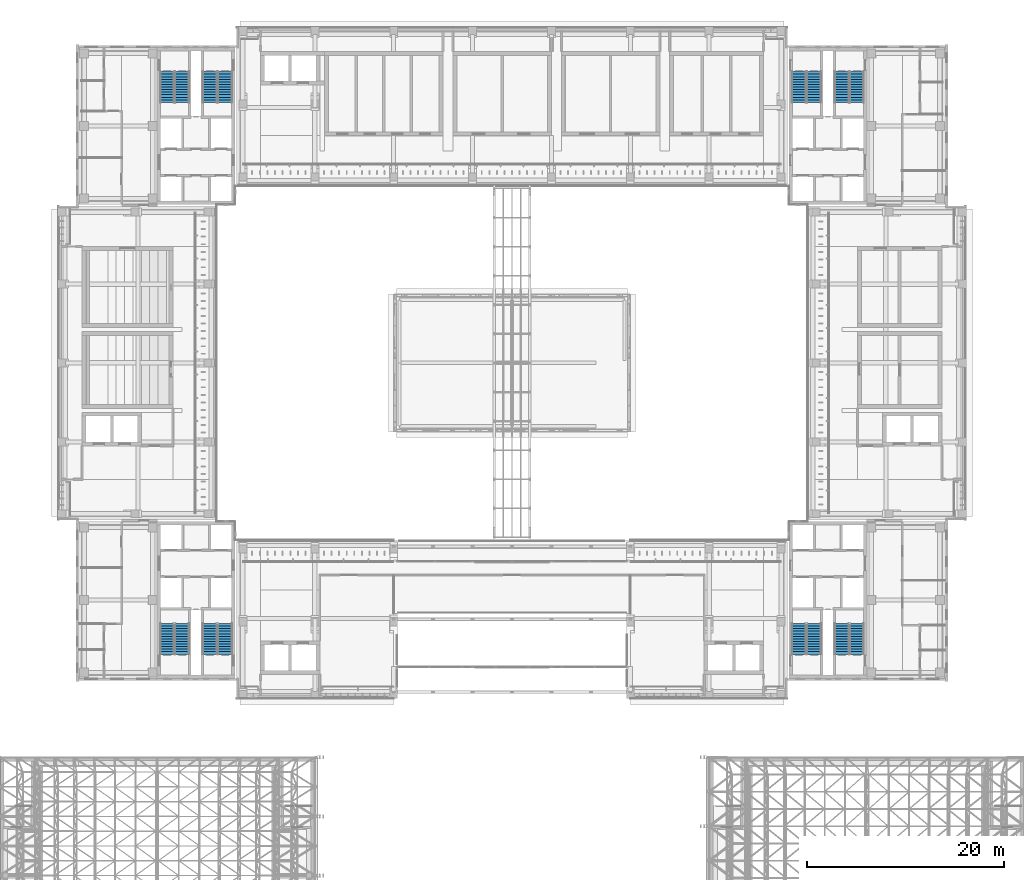
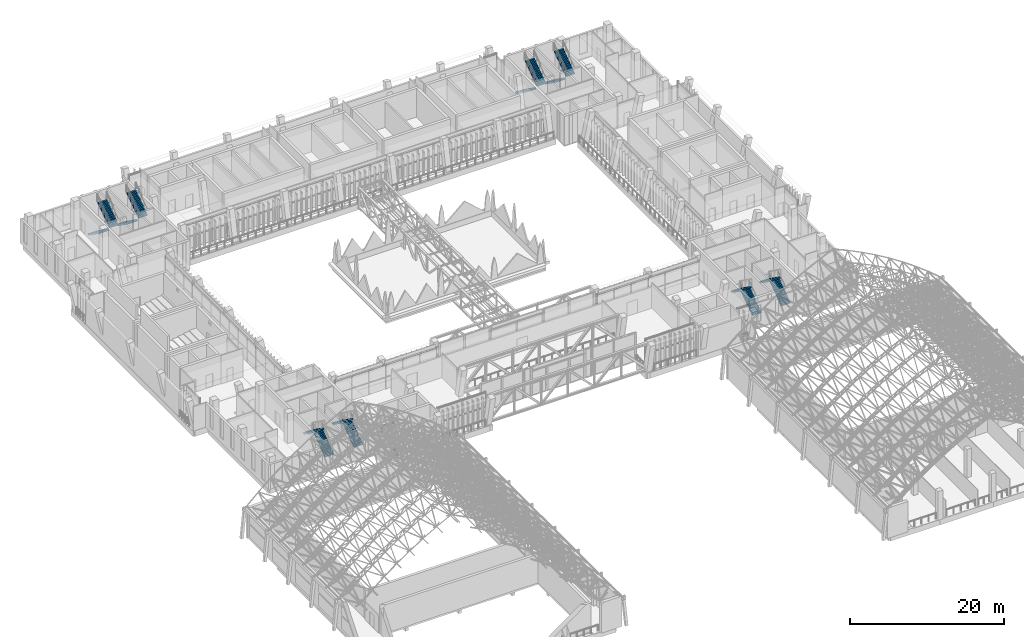
# One storey, part 116 of 141: 16 stair flights, 8 elements without a shape of their own.
"""IFC4 building model written with IfcOpenShell, lengths in metres."""

from ifc_helpers import new_model, si_unit, direction, frame, origin, place, context, subcontext, project, spatial, polyline, outline, extrude, material, type_object, element, aggregate, save


model = new_model("IFC4")

# Units and contexts
model_context = context("Model", 3, precision=1e-05, world=origin(), true_north=direction((0.0, 1.0)))
body_context = subcontext(model_context, "Body", "Model", "MODEL_VIEW")
ifc_project = project(units=[si_unit("LENGTHUNIT", "METRE"), si_unit("AREAUNIT", "SQUARE_METRE"), si_unit("VOLUMEUNIT", "CUBIC_METRE"), si_unit("PLANEANGLEUNIT", "RADIAN"), si_unit("MASSUNIT", "GRAM", prefix="KILO")], contexts=[model_context])

# Site, building, storey
site_placement = place(None, origin())
site = spatial("IfcSite", under=ifc_project, at=site_placement, CompositionType="ELEMENT")
building_placement = place(site_placement, origin())
building = spatial("IfcBuilding", under=site, at=building_placement, Name="Lantern Court Media Centre", CompositionType="ELEMENT")
storey_placement = place(building_placement, frame((0.0, 0.0, 9.60009765625)))
storey = spatial("IfcBuildingStorey", under=building, at=storey_placement, Name="L02", CompositionType="ELEMENT", Elevation=9.60009765625)

# Stair, stair flights
ifc_material = material(Name="Concrete C40", Category="concrete")
stair_type = type_object("IfcStairType", Name="Exit stair 1350", PredefinedType="HALF_TURN_STAIR", material=ifc_material)
stair_1_placement = place(storey_placement, origin())
stair_1 = element("IfcStair", 1, at=stair_1_placement, inside=storey, type_object=stair_type, Name="L02 SW exit stair A", PredefinedType="HALF_TURN_STAIR")
stair_flight_type = type_object("IfcStairFlightType", Name="Stair flight RC 1350", PredefinedType="STRAIGHT", material=ifc_material)
stair_flight_1_placement = place(storey_placement, frame((18.52490234375, 50.449951171875, 0.0), z_axis=(0.0, 0.0, 1.0), x_axis=(0.0, 1.0, 0.0)))
stair_flight_1 = element("IfcStairFlight", 2, at=stair_flight_1_placement, type_object=stair_flight_type, Name="ST-SWA flight 1", NumberOfRisers=13, NumberOfTreads=12, PredefinedType="STRAIGHT", RiserHeight=0.184615385, TreadLength=0.26, context=body_context, shape_type="SweptSolid", body=[
    extrude(outline(polyline([(0.0, 0.0), (0.0, 0.1845703125), (0.260009765625, 0.1845703125), (0.260009765625, 0.369140625), (0.52001953125, 0.369140625), (0.52001953125, 0.553955078125), (0.780029296875, 0.553955078125), (0.780029296875, 0.738525390625), (1.0400390625, 0.738525390625), (1.0400390625, 0.923095703125), (1.300048828125, 0.923095703125), (1.300048828125, 1.107666015625), (1.56005859375, 1.107666015625), (1.56005859375, 1.292236328125), (1.820068359375, 1.292236328125), (1.820068359375, 1.476806640625), (2.080078125, 1.476806640625), (2.080078125, 1.66162109375), (2.340087890625, 1.66162109375), (2.340087890625, 1.84619140625), (2.60009765625, 1.84619140625), (2.60009765625, 2.03076171875), (2.860107421875, 2.03076171875), (2.860107421875, 2.21533203125), (3.1201171875, 2.21533203125), (3.1201171875, 2.39990234375), (3.1201171875, 2.031494140625), (0.259033203125, 0.0), (0.0, 0.0)])), frame((0.0, 0.675048828125, 0.0), z_axis=(0.0, -1.0, 0.0), x_axis=(1.0, 0.0, 0.0)), (0.0, 0.0, 1.0), 1.35009765625),
])
stair_flight_2_placement = place(storey_placement, frame((17.02490234375, 53.570068359375, 2.39990234375), z_axis=(0.0, 0.0, 1.0), x_axis=(0.0, -1.0, 0.0)))
stair_flight_2 = element("IfcStairFlight", 3, at=stair_flight_2_placement, type_object=stair_flight_type, Name="ST-SWA flight 2", NumberOfRisers=13, NumberOfTreads=12, PredefinedType="STRAIGHT", RiserHeight=0.184615385, TreadLength=0.26, context=body_context, shape_type="SweptSolid", body=[
    extrude(outline(polyline([(0.0, 0.0), (0.0, 0.1845703125), (0.260009765625, 0.1845703125), (0.260009765625, 0.369140625), (0.52001953125, 0.369140625), (0.52001953125, 0.553955078125), (0.780029296875, 0.553955078125), (0.780029296875, 0.738525390625), (1.0400390625, 0.738525390625), (1.0400390625, 0.923095703125), (1.300048828125, 0.923095703125), (1.300048828125, 1.107666015625), (1.56005859375, 1.107666015625), (1.56005859375, 1.292236328125), (1.820068359375, 1.292236328125), (1.820068359375, 1.476806640625), (2.080078125, 1.476806640625), (2.080078125, 1.66162109375), (2.340087890625, 1.66162109375), (2.340087890625, 1.84619140625), (2.60009765625, 1.84619140625), (2.60009765625, 2.03076171875), (2.860107421875, 2.03076171875), (2.860107421875, 2.21533203125), (3.1201171875, 2.21533203125), (3.1201171875, 2.39990234375), (3.1201171875, 2.031494140625), (0.259033203125, 0.0), (0.0, 0.0)])), frame((0.0, 0.675048828125, 0.0), z_axis=(0.0, -1.0, 0.0), x_axis=(1.0, 0.0, 0.0)), (0.0, 0.0, 1.0), 1.35009765625),
])
aggregate(stair_1, [stair_flight_1, stair_flight_2])

stair_2_placement = place(storey_placement, origin())
stair_2 = element("IfcStair", 4, at=stair_2_placement, inside=storey, type_object=stair_type, Name="L02 SW exit stair B", PredefinedType="HALF_TURN_STAIR")
stair_flight_3_placement = place(storey_placement, frame((22.875, 50.449951171875, 0.0), z_axis=(0.0, 0.0, 1.0), x_axis=(0.0, 1.0, 0.0)))
stair_flight_3 = element("IfcStairFlight", 5, at=stair_flight_3_placement, type_object=stair_flight_type, Name="ST-SWB flight 1", NumberOfRisers=13, NumberOfTreads=12, PredefinedType="STRAIGHT", RiserHeight=0.184615385, TreadLength=0.26, context=body_context, shape_type="SweptSolid", body=[
    extrude(outline(polyline([(0.0, 0.0), (0.0, 0.1845703125), (0.260009765625, 0.1845703125), (0.260009765625, 0.369140625), (0.52001953125, 0.369140625), (0.52001953125, 0.553955078125), (0.780029296875, 0.553955078125), (0.780029296875, 0.738525390625), (1.0400390625, 0.738525390625), (1.0400390625, 0.923095703125), (1.300048828125, 0.923095703125), (1.300048828125, 1.107666015625), (1.56005859375, 1.107666015625), (1.56005859375, 1.292236328125), (1.820068359375, 1.292236328125), (1.820068359375, 1.476806640625), (2.080078125, 1.476806640625), (2.080078125, 1.66162109375), (2.340087890625, 1.66162109375), (2.340087890625, 1.84619140625), (2.60009765625, 1.84619140625), (2.60009765625, 2.03076171875), (2.860107421875, 2.03076171875), (2.860107421875, 2.21533203125), (3.1201171875, 2.21533203125), (3.1201171875, 2.39990234375), (3.1201171875, 2.031494140625), (0.259033203125, 0.0), (0.0, 0.0)])), frame((0.0, 0.675048828125, 0.0), z_axis=(0.0, -1.0, 0.0), x_axis=(1.0, 0.0, 0.0)), (0.0, 0.0, 1.0), 1.35009765625),
])
stair_flight_4_placement = place(storey_placement, frame((21.375, 53.570068359375, 2.39990234375), z_axis=(0.0, 0.0, 1.0), x_axis=(0.0, -1.0, 0.0)))
stair_flight_4 = element("IfcStairFlight", 6, at=stair_flight_4_placement, type_object=stair_flight_type, Name="ST-SWB flight 2", NumberOfRisers=13, NumberOfTreads=12, PredefinedType="STRAIGHT", RiserHeight=0.184615385, TreadLength=0.26, context=body_context, shape_type="SweptSolid", body=[
    extrude(outline(polyline([(0.0, 0.0), (0.0, 0.1845703125), (0.260009765625, 0.1845703125), (0.260009765625, 0.369140625), (0.52001953125, 0.369140625), (0.52001953125, 0.553955078125), (0.780029296875, 0.553955078125), (0.780029296875, 0.738525390625), (1.0400390625, 0.738525390625), (1.0400390625, 0.923095703125), (1.300048828125, 0.923095703125), (1.300048828125, 1.107666015625), (1.56005859375, 1.107666015625), (1.56005859375, 1.292236328125), (1.820068359375, 1.292236328125), (1.820068359375, 1.476806640625), (2.080078125, 1.476806640625), (2.080078125, 1.66162109375), (2.340087890625, 1.66162109375), (2.340087890625, 1.84619140625), (2.60009765625, 1.84619140625), (2.60009765625, 2.03076171875), (2.860107421875, 2.03076171875), (2.860107421875, 2.21533203125), (3.1201171875, 2.21533203125), (3.1201171875, 2.39990234375), (3.1201171875, 2.031494140625), (0.259033203125, 0.0), (0.0, 0.0)])), frame((0.0, 0.675048828125, 0.0), z_axis=(0.0, -1.0, 0.0), x_axis=(1.0, 0.0, 0.0)), (0.0, 0.0, 1.0), 1.35009765625),
])
aggregate(stair_2, [stair_flight_3, stair_flight_4])

stair_3_placement = place(storey_placement, origin())
stair_3 = element("IfcStair", 7, at=stair_3_placement, inside=storey, type_object=stair_type, Name="L02 SE exit stair A", PredefinedType="HALF_TURN_STAIR")
stair_flight_5_placement = place(storey_placement, frame((86.97509765625, 50.449951171875, 0.0), z_axis=(0.0, 0.0, 1.0), x_axis=(0.0, 1.0, 0.0)))
stair_flight_5 = element("IfcStairFlight", 8, at=stair_flight_5_placement, type_object=stair_flight_type, Name="ST-SEA flight 1", NumberOfRisers=13, NumberOfTreads=12, PredefinedType="STRAIGHT", RiserHeight=0.184615385, TreadLength=0.26, context=body_context, shape_type="SweptSolid", body=[
    extrude(outline(polyline([(0.0, 0.0), (0.0, 0.1845703125), (0.260009765625, 0.1845703125), (0.260009765625, 0.369140625), (0.52001953125, 0.369140625), (0.52001953125, 0.553955078125), (0.780029296875, 0.553955078125), (0.780029296875, 0.738525390625), (1.0400390625, 0.738525390625), (1.0400390625, 0.923095703125), (1.300048828125, 0.923095703125), (1.300048828125, 1.107666015625), (1.56005859375, 1.107666015625), (1.56005859375, 1.292236328125), (1.820068359375, 1.292236328125), (1.820068359375, 1.476806640625), (2.080078125, 1.476806640625), (2.080078125, 1.66162109375), (2.340087890625, 1.66162109375), (2.340087890625, 1.84619140625), (2.60009765625, 1.84619140625), (2.60009765625, 2.03076171875), (2.860107421875, 2.03076171875), (2.860107421875, 2.21533203125), (3.1201171875, 2.21533203125), (3.1201171875, 2.39990234375), (3.1201171875, 2.031494140625), (0.259033203125, 0.0), (0.0, 0.0)])), frame((0.0, 0.675048828125, 0.0), z_axis=(0.0, -1.0, 0.0), x_axis=(1.0, 0.0, 0.0)), (0.0, 0.0, 1.0), 1.35009765625),
])
stair_flight_6_placement = place(storey_placement, frame((85.47509765625, 53.570068359375, 2.39990234375), z_axis=(0.0, 0.0, 1.0), x_axis=(0.0, -1.0, 0.0)))
stair_flight_6 = element("IfcStairFlight", 9, at=stair_flight_6_placement, type_object=stair_flight_type, Name="ST-SEA flight 2", NumberOfRisers=13, NumberOfTreads=12, PredefinedType="STRAIGHT", RiserHeight=0.184615385, TreadLength=0.26, context=body_context, shape_type="SweptSolid", body=[
    extrude(outline(polyline([(0.0, 0.0), (0.0, 0.1845703125), (0.260009765625, 0.1845703125), (0.260009765625, 0.369140625), (0.52001953125, 0.369140625), (0.52001953125, 0.553955078125), (0.780029296875, 0.553955078125), (0.780029296875, 0.738525390625), (1.0400390625, 0.738525390625), (1.0400390625, 0.923095703125), (1.300048828125, 0.923095703125), (1.300048828125, 1.107666015625), (1.56005859375, 1.107666015625), (1.56005859375, 1.292236328125), (1.820068359375, 1.292236328125), (1.820068359375, 1.476806640625), (2.080078125, 1.476806640625), (2.080078125, 1.66162109375), (2.340087890625, 1.66162109375), (2.340087890625, 1.84619140625), (2.60009765625, 1.84619140625), (2.60009765625, 2.03076171875), (2.860107421875, 2.03076171875), (2.860107421875, 2.21533203125), (3.1201171875, 2.21533203125), (3.1201171875, 2.39990234375), (3.1201171875, 2.031494140625), (0.259033203125, 0.0), (0.0, 0.0)])), frame((0.0, 0.675048828125, 0.0), z_axis=(0.0, -1.0, 0.0), x_axis=(1.0, 0.0, 0.0)), (0.0, 0.0, 1.0), 1.35009765625),
])
aggregate(stair_3, [stair_flight_5, stair_flight_6])

stair_4_placement = place(storey_placement, origin())
stair_4 = element("IfcStair", 10, at=stair_4_placement, inside=storey, type_object=stair_type, Name="L02 SE exit stair B", PredefinedType="HALF_TURN_STAIR")
stair_flight_7_placement = place(storey_placement, frame((82.625, 50.449951171875, 0.0), z_axis=(0.0, 0.0, 1.0), x_axis=(0.0, 1.0, 0.0)))
stair_flight_7 = element("IfcStairFlight", 11, at=stair_flight_7_placement, type_object=stair_flight_type, Name="ST-SEB flight 1", NumberOfRisers=13, NumberOfTreads=12, PredefinedType="STRAIGHT", RiserHeight=0.184615385, TreadLength=0.26, context=body_context, shape_type="SweptSolid", body=[
    extrude(outline(polyline([(0.0, 0.0), (0.0, 0.1845703125), (0.260009765625, 0.1845703125), (0.260009765625, 0.369140625), (0.52001953125, 0.369140625), (0.52001953125, 0.553955078125), (0.780029296875, 0.553955078125), (0.780029296875, 0.738525390625), (1.0400390625, 0.738525390625), (1.0400390625, 0.923095703125), (1.300048828125, 0.923095703125), (1.300048828125, 1.107666015625), (1.56005859375, 1.107666015625), (1.56005859375, 1.292236328125), (1.820068359375, 1.292236328125), (1.820068359375, 1.476806640625), (2.080078125, 1.476806640625), (2.080078125, 1.66162109375), (2.340087890625, 1.66162109375), (2.340087890625, 1.84619140625), (2.60009765625, 1.84619140625), (2.60009765625, 2.03076171875), (2.860107421875, 2.03076171875), (2.860107421875, 2.21533203125), (3.1201171875, 2.21533203125), (3.1201171875, 2.39990234375), (3.1201171875, 2.031494140625), (0.259033203125, 0.0), (0.0, 0.0)])), frame((0.0, 0.675048828125, 0.0), z_axis=(0.0, -1.0, 0.0), x_axis=(1.0, 0.0, 0.0)), (0.0, 0.0, 1.0), 1.35009765625),
])
stair_flight_8_placement = place(storey_placement, frame((81.125, 53.570068359375, 2.39990234375), z_axis=(0.0, 0.0, 1.0), x_axis=(0.0, -1.0, 0.0)))
stair_flight_8 = element("IfcStairFlight", 12, at=stair_flight_8_placement, type_object=stair_flight_type, Name="ST-SEB flight 2", NumberOfRisers=13, NumberOfTreads=12, PredefinedType="STRAIGHT", RiserHeight=0.184615385, TreadLength=0.26, context=body_context, shape_type="SweptSolid", body=[
    extrude(outline(polyline([(0.0, 0.0), (0.0, 0.1845703125), (0.260009765625, 0.1845703125), (0.260009765625, 0.369140625), (0.52001953125, 0.369140625), (0.52001953125, 0.553955078125), (0.780029296875, 0.553955078125), (0.780029296875, 0.738525390625), (1.0400390625, 0.738525390625), (1.0400390625, 0.923095703125), (1.300048828125, 0.923095703125), (1.300048828125, 1.107666015625), (1.56005859375, 1.107666015625), (1.56005859375, 1.292236328125), (1.820068359375, 1.292236328125), (1.820068359375, 1.476806640625), (2.080078125, 1.476806640625), (2.080078125, 1.66162109375), (2.340087890625, 1.66162109375), (2.340087890625, 1.84619140625), (2.60009765625, 1.84619140625), (2.60009765625, 2.03076171875), (2.860107421875, 2.03076171875), (2.860107421875, 2.21533203125), (3.1201171875, 2.21533203125), (3.1201171875, 2.39990234375), (3.1201171875, 2.031494140625), (0.259033203125, 0.0), (0.0, 0.0)])), frame((0.0, 0.675048828125, 0.0), z_axis=(0.0, -1.0, 0.0), x_axis=(1.0, 0.0, 0.0)), (0.0, 0.0, 1.0), 1.35009765625),
])
aggregate(stair_4, [stair_flight_7, stair_flight_8])

stair_5_placement = place(storey_placement, origin())
stair_5 = element("IfcStair", 13, at=stair_5_placement, inside=storey, type_object=stair_type, Name="L02 NW exit stair A", PredefinedType="HALF_TURN_STAIR")
stair_flight_9_placement = place(storey_placement, frame((17.02490234375, 109.550048828125, 0.0), z_axis=(0.0, 0.0, 1.0), x_axis=(0.0, -1.0, 0.0)))
stair_flight_9 = element("IfcStairFlight", 14, at=stair_flight_9_placement, type_object=stair_flight_type, Name="ST-NWA flight 1", NumberOfRisers=13, NumberOfTreads=12, PredefinedType="STRAIGHT", RiserHeight=0.184615385, TreadLength=0.26, context=body_context, shape_type="SweptSolid", body=[
    extrude(outline(polyline([(0.0, 0.0), (0.0, 0.1845703125), (0.260009765625, 0.1845703125), (0.260009765625, 0.369140625), (0.52001953125, 0.369140625), (0.52001953125, 0.553955078125), (0.780029296875, 0.553955078125), (0.780029296875, 0.738525390625), (1.0400390625, 0.738525390625), (1.0400390625, 0.923095703125), (1.300048828125, 0.923095703125), (1.300048828125, 1.107666015625), (1.56005859375, 1.107666015625), (1.56005859375, 1.292236328125), (1.820068359375, 1.292236328125), (1.820068359375, 1.476806640625), (2.080078125, 1.476806640625), (2.080078125, 1.66162109375), (2.340087890625, 1.66162109375), (2.340087890625, 1.84619140625), (2.60009765625, 1.84619140625), (2.60009765625, 2.03076171875), (2.860107421875, 2.03076171875), (2.860107421875, 2.21533203125), (3.1201171875, 2.21533203125), (3.1201171875, 2.39990234375), (3.1201171875, 2.031494140625), (0.259033203125, 0.0), (0.0, 0.0)])), frame((0.0, 0.675048828125, 0.0), z_axis=(0.0, -1.0, 0.0), x_axis=(1.0, 0.0, 0.0)), (0.0, 0.0, 1.0), 1.35009765625),
])
stair_flight_10_placement = place(storey_placement, frame((18.52490234375, 106.429931640625, 2.39990234375), z_axis=(0.0, 0.0, 1.0), x_axis=(0.0, 1.0, 0.0)))
stair_flight_10 = element("IfcStairFlight", 15, at=stair_flight_10_placement, type_object=stair_flight_type, Name="ST-NWA flight 2", NumberOfRisers=13, NumberOfTreads=12, PredefinedType="STRAIGHT", RiserHeight=0.184615385, TreadLength=0.26, context=body_context, shape_type="SweptSolid", body=[
    extrude(outline(polyline([(0.0, 0.0), (0.0, 0.1845703125), (0.260009765625, 0.1845703125), (0.260009765625, 0.369140625), (0.52001953125, 0.369140625), (0.52001953125, 0.553955078125), (0.780029296875, 0.553955078125), (0.780029296875, 0.738525390625), (1.0400390625, 0.738525390625), (1.0400390625, 0.923095703125), (1.300048828125, 0.923095703125), (1.300048828125, 1.107666015625), (1.56005859375, 1.107666015625), (1.56005859375, 1.292236328125), (1.820068359375, 1.292236328125), (1.820068359375, 1.476806640625), (2.080078125, 1.476806640625), (2.080078125, 1.66162109375), (2.340087890625, 1.66162109375), (2.340087890625, 1.84619140625), (2.60009765625, 1.84619140625), (2.60009765625, 2.03076171875), (2.860107421875, 2.03076171875), (2.860107421875, 2.21533203125), (3.1201171875, 2.21533203125), (3.1201171875, 2.39990234375), (3.1201171875, 2.031494140625), (0.259033203125, 0.0), (0.0, 0.0)])), frame((0.0, 0.675048828125, 0.0), z_axis=(0.0, -1.0, 0.0), x_axis=(1.0, 0.0, 0.0)), (0.0, 0.0, 1.0), 1.35009765625),
])
aggregate(stair_5, [stair_flight_9, stair_flight_10])

stair_6_placement = place(storey_placement, origin())
stair_6 = element("IfcStair", 16, at=stair_6_placement, inside=storey, type_object=stair_type, Name="L02 NW exit stair B", PredefinedType="HALF_TURN_STAIR")
stair_flight_11_placement = place(storey_placement, frame((21.375, 109.550048828125, 0.0), z_axis=(0.0, 0.0, 1.0), x_axis=(0.0, -1.0, 0.0)))
stair_flight_11 = element("IfcStairFlight", 17, at=stair_flight_11_placement, type_object=stair_flight_type, Name="ST-NWB flight 1", NumberOfRisers=13, NumberOfTreads=12, PredefinedType="STRAIGHT", RiserHeight=0.184615385, TreadLength=0.26, context=body_context, shape_type="SweptSolid", body=[
    extrude(outline(polyline([(0.0, 0.0), (0.0, 0.1845703125), (0.260009765625, 0.1845703125), (0.260009765625, 0.369140625), (0.52001953125, 0.369140625), (0.52001953125, 0.553955078125), (0.780029296875, 0.553955078125), (0.780029296875, 0.738525390625), (1.0400390625, 0.738525390625), (1.0400390625, 0.923095703125), (1.300048828125, 0.923095703125), (1.300048828125, 1.107666015625), (1.56005859375, 1.107666015625), (1.56005859375, 1.292236328125), (1.820068359375, 1.292236328125), (1.820068359375, 1.476806640625), (2.080078125, 1.476806640625), (2.080078125, 1.66162109375), (2.340087890625, 1.66162109375), (2.340087890625, 1.84619140625), (2.60009765625, 1.84619140625), (2.60009765625, 2.03076171875), (2.860107421875, 2.03076171875), (2.860107421875, 2.21533203125), (3.1201171875, 2.21533203125), (3.1201171875, 2.39990234375), (3.1201171875, 2.031494140625), (0.259033203125, 0.0), (0.0, 0.0)])), frame((0.0, 0.675048828125, 0.0), z_axis=(0.0, -1.0, 0.0), x_axis=(1.0, 0.0, 0.0)), (0.0, 0.0, 1.0), 1.35009765625),
])
stair_flight_12_placement = place(storey_placement, frame((22.875, 106.429931640625, 2.39990234375), z_axis=(0.0, 0.0, 1.0), x_axis=(0.0, 1.0, 0.0)))
stair_flight_12 = element("IfcStairFlight", 18, at=stair_flight_12_placement, type_object=stair_flight_type, Name="ST-NWB flight 2", NumberOfRisers=13, NumberOfTreads=12, PredefinedType="STRAIGHT", RiserHeight=0.184615385, TreadLength=0.26, context=body_context, shape_type="SweptSolid", body=[
    extrude(outline(polyline([(0.0, 0.0), (0.0, 0.1845703125), (0.260009765625, 0.1845703125), (0.260009765625, 0.369140625), (0.52001953125, 0.369140625), (0.52001953125, 0.553955078125), (0.780029296875, 0.553955078125), (0.780029296875, 0.738525390625), (1.0400390625, 0.738525390625), (1.0400390625, 0.923095703125), (1.300048828125, 0.923095703125), (1.300048828125, 1.107666015625), (1.56005859375, 1.107666015625), (1.56005859375, 1.292236328125), (1.820068359375, 1.292236328125), (1.820068359375, 1.476806640625), (2.080078125, 1.476806640625), (2.080078125, 1.66162109375), (2.340087890625, 1.66162109375), (2.340087890625, 1.84619140625), (2.60009765625, 1.84619140625), (2.60009765625, 2.03076171875), (2.860107421875, 2.03076171875), (2.860107421875, 2.21533203125), (3.1201171875, 2.21533203125), (3.1201171875, 2.39990234375), (3.1201171875, 2.031494140625), (0.259033203125, 0.0), (0.0, 0.0)])), frame((0.0, 0.675048828125, 0.0), z_axis=(0.0, -1.0, 0.0), x_axis=(1.0, 0.0, 0.0)), (0.0, 0.0, 1.0), 1.35009765625),
])
aggregate(stair_6, [stair_flight_11, stair_flight_12])

stair_7_placement = place(storey_placement, origin())
stair_7 = element("IfcStair", 19, at=stair_7_placement, inside=storey, type_object=stair_type, Name="L02 NE exit stair A", PredefinedType="HALF_TURN_STAIR")
stair_flight_13_placement = place(storey_placement, frame((85.47509765625, 109.550048828125, 0.0), z_axis=(0.0, 0.0, 1.0), x_axis=(0.0, -1.0, 0.0)))
stair_flight_13 = element("IfcStairFlight", 20, at=stair_flight_13_placement, type_object=stair_flight_type, Name="ST-NEA flight 1", NumberOfRisers=13, NumberOfTreads=12, PredefinedType="STRAIGHT", RiserHeight=0.184615385, TreadLength=0.26, context=body_context, shape_type="SweptSolid", body=[
    extrude(outline(polyline([(0.0, 0.0), (0.0, 0.1845703125), (0.260009765625, 0.1845703125), (0.260009765625, 0.369140625), (0.52001953125, 0.369140625), (0.52001953125, 0.553955078125), (0.780029296875, 0.553955078125), (0.780029296875, 0.738525390625), (1.0400390625, 0.738525390625), (1.0400390625, 0.923095703125), (1.300048828125, 0.923095703125), (1.300048828125, 1.107666015625), (1.56005859375, 1.107666015625), (1.56005859375, 1.292236328125), (1.820068359375, 1.292236328125), (1.820068359375, 1.476806640625), (2.080078125, 1.476806640625), (2.080078125, 1.66162109375), (2.340087890625, 1.66162109375), (2.340087890625, 1.84619140625), (2.60009765625, 1.84619140625), (2.60009765625, 2.03076171875), (2.860107421875, 2.03076171875), (2.860107421875, 2.21533203125), (3.1201171875, 2.21533203125), (3.1201171875, 2.39990234375), (3.1201171875, 2.031494140625), (0.259033203125, 0.0), (0.0, 0.0)])), frame((0.0, 0.675048828125, 0.0), z_axis=(0.0, -1.0, 0.0), x_axis=(1.0, 0.0, 0.0)), (0.0, 0.0, 1.0), 1.35009765625),
])
stair_flight_14_placement = place(storey_placement, frame((86.97509765625, 106.429931640625, 2.39990234375), z_axis=(0.0, 0.0, 1.0), x_axis=(0.0, 1.0, 0.0)))
stair_flight_14 = element("IfcStairFlight", 21, at=stair_flight_14_placement, type_object=stair_flight_type, Name="ST-NEA flight 2", NumberOfRisers=13, NumberOfTreads=12, PredefinedType="STRAIGHT", RiserHeight=0.184615385, TreadLength=0.26, context=body_context, shape_type="SweptSolid", body=[
    extrude(outline(polyline([(0.0, 0.0), (0.0, 0.1845703125), (0.260009765625, 0.1845703125), (0.260009765625, 0.369140625), (0.52001953125, 0.369140625), (0.52001953125, 0.553955078125), (0.780029296875, 0.553955078125), (0.780029296875, 0.738525390625), (1.0400390625, 0.738525390625), (1.0400390625, 0.923095703125), (1.300048828125, 0.923095703125), (1.300048828125, 1.107666015625), (1.56005859375, 1.107666015625), (1.56005859375, 1.292236328125), (1.820068359375, 1.292236328125), (1.820068359375, 1.476806640625), (2.080078125, 1.476806640625), (2.080078125, 1.66162109375), (2.340087890625, 1.66162109375), (2.340087890625, 1.84619140625), (2.60009765625, 1.84619140625), (2.60009765625, 2.03076171875), (2.860107421875, 2.03076171875), (2.860107421875, 2.21533203125), (3.1201171875, 2.21533203125), (3.1201171875, 2.39990234375), (3.1201171875, 2.031494140625), (0.259033203125, 0.0), (0.0, 0.0)])), frame((0.0, 0.675048828125, 0.0), z_axis=(0.0, -1.0, 0.0), x_axis=(1.0, 0.0, 0.0)), (0.0, 0.0, 1.0), 1.35009765625),
])
aggregate(stair_7, [stair_flight_13, stair_flight_14])

stair_8_placement = place(storey_placement, origin())
stair_8 = element("IfcStair", 22, at=stair_8_placement, inside=storey, type_object=stair_type, Name="L02 NE exit stair B", PredefinedType="HALF_TURN_STAIR")
stair_flight_15_placement = place(storey_placement, frame((81.125, 109.550048828125, 0.0), z_axis=(0.0, 0.0, 1.0), x_axis=(0.0, -1.0, 0.0)))
stair_flight_15 = element("IfcStairFlight", 23, at=stair_flight_15_placement, type_object=stair_flight_type, Name="ST-NEB flight 1", NumberOfRisers=13, NumberOfTreads=12, PredefinedType="STRAIGHT", RiserHeight=0.184615385, TreadLength=0.26, context=body_context, shape_type="SweptSolid", body=[
    extrude(outline(polyline([(0.0, 0.0), (0.0, 0.1845703125), (0.260009765625, 0.1845703125), (0.260009765625, 0.369140625), (0.52001953125, 0.369140625), (0.52001953125, 0.553955078125), (0.780029296875, 0.553955078125), (0.780029296875, 0.738525390625), (1.0400390625, 0.738525390625), (1.0400390625, 0.923095703125), (1.300048828125, 0.923095703125), (1.300048828125, 1.107666015625), (1.56005859375, 1.107666015625), (1.56005859375, 1.292236328125), (1.820068359375, 1.292236328125), (1.820068359375, 1.476806640625), (2.080078125, 1.476806640625), (2.080078125, 1.66162109375), (2.340087890625, 1.66162109375), (2.340087890625, 1.84619140625), (2.60009765625, 1.84619140625), (2.60009765625, 2.03076171875), (2.860107421875, 2.03076171875), (2.860107421875, 2.21533203125), (3.1201171875, 2.21533203125), (3.1201171875, 2.39990234375), (3.1201171875, 2.031494140625), (0.259033203125, 0.0), (0.0, 0.0)])), frame((0.0, 0.675048828125, 0.0), z_axis=(0.0, -1.0, 0.0), x_axis=(1.0, 0.0, 0.0)), (0.0, 0.0, 1.0), 1.35009765625),
])
stair_flight_16_placement = place(storey_placement, frame((82.625, 106.429931640625, 2.39990234375), z_axis=(0.0, 0.0, 1.0), x_axis=(0.0, 1.0, 0.0)))
stair_flight_16 = element("IfcStairFlight", 24, at=stair_flight_16_placement, type_object=stair_flight_type, Name="ST-NEB flight 2", NumberOfRisers=13, NumberOfTreads=12, PredefinedType="STRAIGHT", RiserHeight=0.184615385, TreadLength=0.26, context=body_context, shape_type="SweptSolid", body=[
    extrude(outline(polyline([(0.0, 0.0), (0.0, 0.1845703125), (0.260009765625, 0.1845703125), (0.260009765625, 0.369140625), (0.52001953125, 0.369140625), (0.52001953125, 0.553955078125), (0.780029296875, 0.553955078125), (0.780029296875, 0.738525390625), (1.0400390625, 0.738525390625), (1.0400390625, 0.923095703125), (1.300048828125, 0.923095703125), (1.300048828125, 1.107666015625), (1.56005859375, 1.107666015625), (1.56005859375, 1.292236328125), (1.820068359375, 1.292236328125), (1.820068359375, 1.476806640625), (2.080078125, 1.476806640625), (2.080078125, 1.66162109375), (2.340087890625, 1.66162109375), (2.340087890625, 1.84619140625), (2.60009765625, 1.84619140625), (2.60009765625, 2.03076171875), (2.860107421875, 2.03076171875), (2.860107421875, 2.21533203125), (3.1201171875, 2.21533203125), (3.1201171875, 2.39990234375), (3.1201171875, 2.031494140625), (0.259033203125, 0.0), (0.0, 0.0)])), frame((0.0, 0.675048828125, 0.0), z_axis=(0.0, -1.0, 0.0), x_axis=(1.0, 0.0, 0.0)), (0.0, 0.0, 1.0), 1.35009765625),
])
aggregate(stair_8, [stair_flight_15, stair_flight_16])

save(model, "model.ifc")
